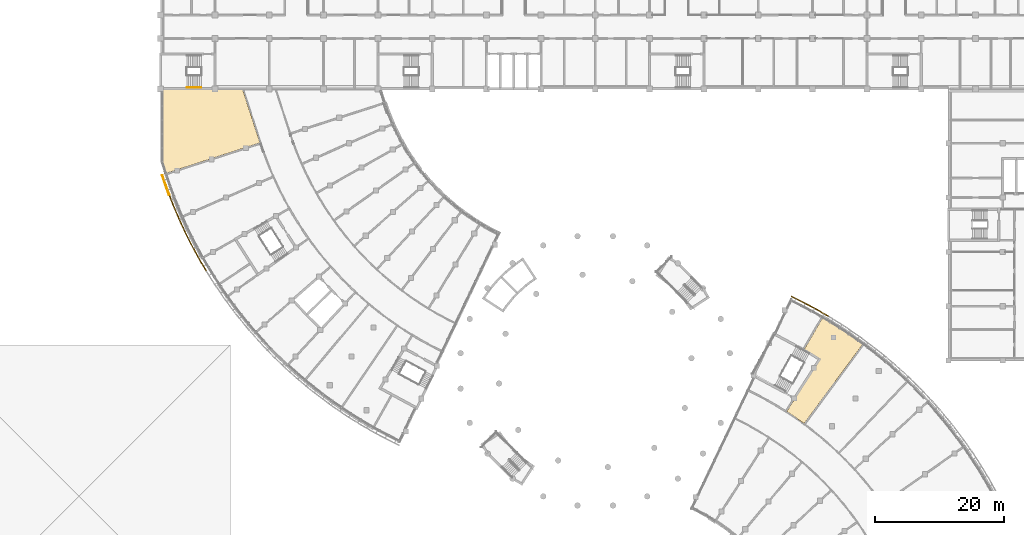
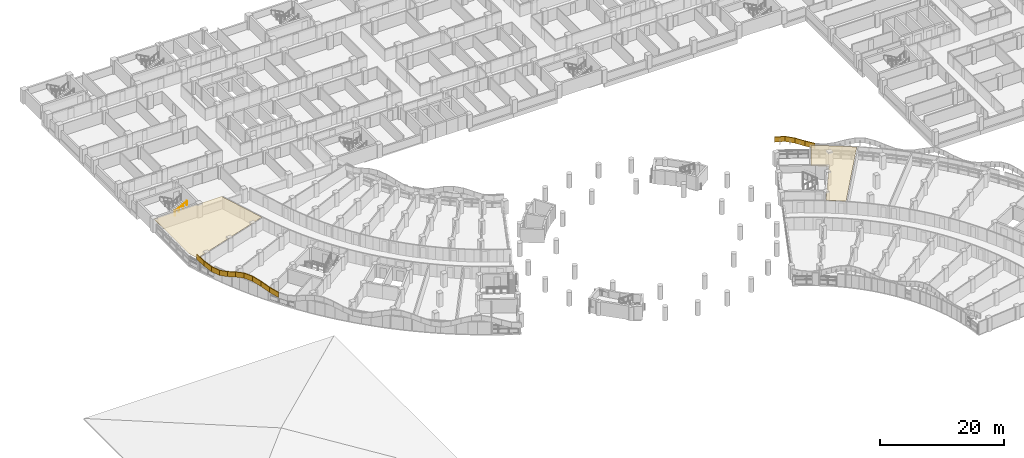
# One storey, part 82 of 89: 16 coverings, 1 railing.
"""IFC4 building model written with IfcOpenShell, lengths in metres."""

import ifcopenshell
import ifcopenshell.guid

model = None  # the IFC model being written
_history = None  # IfcOwnerHistory: only IFC2X3 demands one
_inside = {}  # id of a spatial element -> (the spatial element, [elements in it])
_under = {}  # id of a project, library or spatial element -> (it, [spatial elements below it])
_declared = {}  # id of a project -> (the project, [libraries it declares])
_typed = {}  # id of a type object -> (the type object, [elements of that type])
_made_of = {}  # id of a material, layer set ... -> (it, [elements and type objects made of it])


def new_model(schema):
    """Start an empty IFC model of exactly this schema.

    Asked for "IFC4X3", IfcOpenShell would pick the latest addendum, in which some entities
    have other attributes; the version numbers below select the first issue.
    IFC2X3 requires an IfcOwnerHistory on every rooted entity: one is made here for all.
    """
    global model, _history
    if schema == "IFC4X3":
        model = ifcopenshell.file(schema_version=(4, 3, 0, 0))
    else:
        model = ifcopenshell.file(schema=schema)
    _inside.clear()
    _under.clear()
    _declared.clear()
    _typed.clear()
    _made_of.clear()
    _history = None
    if model.schema == "IFC2X3":
        org = make("IfcOrganization", Name="unknown")
        user = make(
            "IfcPersonAndOrganization",
            ThePerson=make("IfcPerson", FamilyName="unknown"),
            TheOrganization=org,
        )
        app = make(
            "IfcApplication",
            ApplicationDeveloper=org,
            Version="unknown",
            ApplicationFullName="unknown",
            ApplicationIdentifier="unknown",
        )
        _history = make(
            "IfcOwnerHistory",
            OwningUser=user,
            OwningApplication=app,
            ChangeAction="ADDED",
            CreationDate=0,
        )
    return model


def make(cls, **values):
    """One entity of the class cls with the attributes given. An attribute that is None is left unset."""
    return model.create_entity(
        cls, **{name: value for name, value in values.items() if value is not None}
    )


def rooted(cls, **values):
    """An entity with a GlobalId (a new one), such as an element, a storey or a relation."""
    return make(cls, GlobalId=ifcopenshell.guid.new(), OwnerHistory=_history, **values)


def si_unit(unit_type, name, prefix=None):
    """IfcSIUnit, for example si_unit("LENGTHUNIT", "METRE", prefix="MILLI")."""
    return make("IfcSIUnit", UnitType=unit_type, Prefix=prefix, Name=name)


def assignment(units):
    """IfcUnitAssignment: the units of a project."""
    return None if units is None else make("IfcUnitAssignment", Units=units)


def point(xyz):
    """IfcCartesianPoint."""
    return None if xyz is None else make("IfcCartesianPoint", Coordinates=xyz)


def direction(xyz):
    """IfcDirection."""
    return None if xyz is None else make("IfcDirection", DirectionRatios=xyz)


def frame(location, z_axis=None, x_axis=None):
    """IfcAxis2Placement3D, a coordinate frame: its origin and axes. An axis left out is left unset."""
    return make(
        "IfcAxis2Placement3D",
        Location=point(location),
        Axis=direction(z_axis),
        RefDirection=direction(x_axis),
    )


def frame_2d(location, x_axis=None):
    """IfcAxis2Placement2D, a coordinate frame in the plane: its origin and x axis."""
    return make(
        "IfcAxis2Placement2D", Location=point(location), RefDirection=direction(x_axis)
    )


def origin():
    """The frame at (0, 0, 0) with its axes left unset."""
    return frame((0.0, 0.0, 0.0))


def origin_2d():
    """The frame at (0, 0) in the plane with its x axis left unset."""
    return frame_2d((0.0, 0.0))


def place(relative_to, where):
    """IfcLocalPlacement: puts the frame where relative to a parent placement (None: the world)."""
    return make(
        "IfcLocalPlacement", PlacementRelTo=relative_to, RelativePlacement=where
    )


def context(
    kind, dimensions, precision=None, world=None, true_north=None, identifier=None
):
    """IfcGeometricRepresentationContext, for example the 3D "Model" context."""
    return make(
        "IfcGeometricRepresentationContext",
        ContextIdentifier=identifier,
        ContextType=kind,
        CoordinateSpaceDimension=dimensions,
        Precision=precision,
        WorldCoordinateSystem=world,
        TrueNorth=true_north,
    )


def subcontext(parent, identifier, kind, view, scale=None):
    """IfcGeometricRepresentationSubContext, for example "Body" below "Model"."""
    return make(
        "IfcGeometricRepresentationSubContext",
        ContextIdentifier=identifier,
        ContextType=kind,
        ParentContext=parent,
        TargetScale=scale,
        TargetView=view,
    )


def project(units=None, contexts=None):
    """IfcProject with its units and contexts."""
    return rooted(
        "IfcProject",
        Name="project",
        RepresentationContexts=contexts,
        UnitsInContext=assignment(units),
    )


def spatial(cls, under=None, at=None, **own):
    """A site, building, storey or space (cls), placed at a placement, below another one or the project."""
    s = rooted(cls, ObjectPlacement=at, **own)
    if under is not None:
        _under.setdefault(under.id(), (under, []))[1].append(s)
    return s


def polyline(points):
    """IfcPolyline through the points."""
    return make("IfcPolyline", Points=[point(p) for p in points])


def profile(cls, at=None, kind="AREA", **sizes):
    """A parametric profile (cls). Its sizes go by their IFC names, for example OverallWidth=200.0."""
    return make(cls, ProfileType=kind, Position=at, **sizes)


def circle(**sizes):
    """IfcCircleProfileDef."""
    return profile("IfcCircleProfileDef", **sizes)


def outline(outer, holes=None, kind="AREA"):
    """IfcArbitraryClosedProfileDef: a profile drawn as a closed curve; with holes, ...WithVoids."""
    if holes is None:
        return make("IfcArbitraryClosedProfileDef", ProfileType=kind, OuterCurve=outer)
    return make(
        "IfcArbitraryProfileDefWithVoids",
        ProfileType=kind,
        OuterCurve=outer,
        InnerCurves=holes,
    )


def extrude(swept, where, along, depth):
    """IfcExtrudedAreaSolid: the profile swept, set in the frame where, extruded along a direction by depth."""
    return make(
        "IfcExtrudedAreaSolid",
        SweptArea=swept,
        Position=where,
        ExtrudedDirection=direction(along),
        Depth=depth,
    )


def shape(context_of_items, identifier, shape_type, items):
    """IfcShapeRepresentation: the items that make up one representation, for example the "Body"."""
    return make(
        "IfcShapeRepresentation",
        ContextOfItems=context_of_items,
        RepresentationIdentifier=identifier,
        RepresentationType=shape_type,
        Items=items,
    )


def material(Name=None, Category=None):
    """IfcMaterial."""
    return make("IfcMaterial", Name=Name, Category=Category)


def layer(
    of_material, thickness, ventilated=None, Name=None, Category=None, Priority=None
):
    """IfcMaterialLayer: one layer of a wall or slab, of a material (None: an air gap)."""
    return make(
        "IfcMaterialLayer",
        Material=of_material,
        LayerThickness=thickness,
        IsVentilated=ventilated,
        Name=Name,
        Category=Category,
        Priority=Priority,
    )


def layer_set(layers, Name=None):
    """IfcMaterialLayerSet."""
    return make("IfcMaterialLayerSet", MaterialLayers=layers, LayerSetName=Name)


def made_of(thing, what):
    """Note that an element or type object is made of a material, layer set ...; save() writes the relation."""
    if what is not None:
        _made_of.setdefault(what.id(), (what, []))[1].append(thing)
    return thing


def type_object(cls, material=None, **own):
    """A type object (cls), such as IfcWallType, which elements share."""
    return made_of(rooted(cls, **own), material)


def element(
    cls,
    number,
    at=None,
    inside=None,
    cuts=None,
    type_object=None,
    material=None,
    context=None,
    identifier="Body",
    shape_type=None,
    held_by="IfcProductDefinitionShape",
    body=None,
    shapes=None,
    **own,
):
    """One element of the class cls, such as IfcWall. Its Tag is "e" and its number.

    at: its placement. inside: the storey or other place that contains it. cuts: it is an
    opening in that element (IfcRelVoidsElement). A single representation is given by context,
    identifier, shape_type and body (its items); several are given by shapes. held_by: the class
    of the entity that holds the representations. save() writes the other relations.
    """
    e = rooted(cls, Tag="e%d" % number, ObjectPlacement=at, **own)
    if body is not None:
        shapes = [shape(context, identifier, shape_type, body)]
    if shapes is not None:
        e.Representation = make(held_by, Representations=shapes)
    if inside is not None:
        _inside.setdefault(inside.id(), (inside, []))[1].append(e)
    if cuts is not None:
        rooted(
            "IfcRelVoidsElement", RelatingBuildingElement=cuts, RelatedOpeningElement=e
        )
    if type_object is not None:
        _typed.setdefault(type_object.id(), (type_object, []))[1].append(e)
    return made_of(e, material)


def aggregate(whole, parts):
    """IfcRelAggregates: a whole, such as a stair, and the parts it consists of."""
    return rooted("IfcRelAggregates", RelatingObject=whole, RelatedObjects=parts)


def save(model, path):
    """Write the relations noted so far, then the file.

    IfcRelAggregates (storeys below a building ...), IfcRelContainedInSpatialStructure (elements
    in a storey), IfcRelDefinesByType, IfcRelAssociatesMaterial and IfcRelDeclares: one each for
    every whole, place, type object, material and project.
    """
    for whole, parts in _under.values():
        aggregate(whole, parts)
    for where, things in _inside.values():
        rooted(
            "IfcRelContainedInSpatialStructure",
            RelatedElements=things,
            RelatingStructure=where,
        )
    for kind, things in _typed.values():
        rooted("IfcRelDefinesByType", RelatedObjects=things, RelatingType=kind)
    for what, things in _made_of.values():
        rooted("IfcRelAssociatesMaterial", RelatedObjects=things, RelatingMaterial=what)
    for by, libraries in _declared.values():
        rooted("IfcRelDeclares", RelatingContext=by, RelatedDefinitions=libraries)
    model.write(path)


model = new_model("IFC4")

# Units and contexts
model_context = context("Model", 3, precision=1e-05, world=origin(), true_north=direction((0.0, 1.0)))
body_context = subcontext(model_context, "Body", "Model", "MODEL_VIEW")
ifc_project = project(units=[si_unit("LENGTHUNIT", "METRE"), si_unit("AREAUNIT", "SQUARE_METRE"), si_unit("VOLUMEUNIT", "CUBIC_METRE"), si_unit("PLANEANGLEUNIT", "RADIAN"), si_unit("MASSUNIT", "GRAM", prefix="KILO")], contexts=[model_context])

# Site, building, storey
site_placement = place(None, origin())
site = spatial("IfcSite", under=ifc_project, at=site_placement, CompositionType="ELEMENT")
building_placement = place(site_placement, origin())
building = spatial("IfcBuilding", under=site, at=building_placement, Name="Bougainvillea Quay General Hospital", CompositionType="ELEMENT")
storey_placement = place(building_placement, frame((0.0, 0.0, 9.89990234375)))
storey = spatial("IfcBuildingStorey", under=building, at=storey_placement, Name="L01M", CompositionType="ELEMENT", Elevation=9.89990234375)

# Coverings
ifc_material_1 = material(Name="Powder-coated aluminium fascia, green", Category="aluminium")
ifc_layer_1 = layer(ifc_material_1, 0.14990234375)
ifc_layer_set_1 = layer_set([ifc_layer_1], Name="Powder-coated aluminium fascia, green")
covering_type_1 = type_object("IfcCoveringType", Name="Aluminium wave fascia ribbon green 150x1000", PredefinedType="CLADDING", material=ifc_layer_set_1)
covering_1_placement = place(storey_placement, frame((42.341796875, 104.27294921875, 2.468017578125), z_axis=(0.110772021598, -0.329648714639, 0.937582681243), x_axis=(0.300033739032, -0.888279966488, -0.34776206892)))
element("IfcCovering", 1, at=covering_1_placement, inside=storey, type_object=covering_type_1, Name="Fascia ribbon green a01 1", PredefinedType="CLADDING", context=body_context, shape_type="SweptSolid", body=[
    extrude(outline(polyline([(0.0, 0.0), (1.7348181524380801, 1.463672932855431e-17), (1.7366112556522868, -0.15001523366858202), (-0.0001261627648552338, -0.1499309128049655), (0.0, 0.0)])), origin(), (-0.34776206892, 0.000509168787, 0.937582681243), 1.0),
])
covering_2_placement = place(storey_placement, frame((42.8623046875, 102.73193359375, 1.8642578125), z_axis=(0.083054177745, -0.230707255721, 0.969472106725), x_axis=(0.331508637559, -0.91103175331, -0.245200260368)))
element("IfcCovering", 2, at=covering_2_placement, inside=storey, type_object=covering_type_1, Name="Fascia ribbon green a01 2", PredefinedType="CLADDING", context=body_context, shape_type="SweptSolid", body=[
    extrude(outline(polyline([(0.0, 0.0), (1.6813453807559078, -1.297247899378906e-16), (1.6831927499924344, -0.15003441723045166), (-0.0018507724908272496, -0.15001292099792193), (0.0, 0.0)])), origin(), (-0.245200260368, 0.000816454848, 0.969472106725), 1.0),
])
covering_3_placement = place(storey_placement, frame((43.419677734375, 101.2001953125, 1.45166015625), z_axis=(-0.003699519941, 0.009476398953, 0.999948254369), x_axis=(0.363612429207, -0.93149477333, 0.010172933932)))
element("IfcCovering", 3, at=covering_3_placement, inside=storey, type_object=covering_type_1, Name="Fascia ribbon green a01 3", PredefinedType="CLADDING", context=body_context, shape_type="SweptSolid", body=[
    extrude(outline(polyline([(0.0, 0.0), (1.6302344305994982, 3.1876390904021085e-17), (1.6319396828499133, -0.15005241288211643), (-0.001695014888092393, -0.15003544721851955), (0.0, 0.0)])), origin(), (0.010172933932, 3.47045e-07, 0.999948254369), 1.0),
])
covering_4_placement = place(storey_placement, frame((44.012451171875, 99.681640625, 1.468505859375), z_axis=(-0.099357317346, 0.238415550081, 0.966067362542), x_axis=(0.371995829889, -0.891574597309, 0.258290224318)))
element("IfcCovering", 4, at=covering_4_placement, inside=storey, type_object=covering_type_1, Name="Fascia ribbon green a01 4", PredefinedType="CLADDING", context=body_context, shape_type="SweptSolid", body=[
    extrude(outline(polyline([(0.0, 0.0), (1.6873369134939349, -4.824699667560495e-17), (1.6890438382272612, -0.15014729818879274), (-0.0018291128183669572, -0.15005174604153598), (0.0, 0.0)])), origin(), (0.258290224318, -0.000105130208, 0.966067362542), 1.0),
])
covering_5_placement = place(storey_placement, frame((44.64013671875, 98.17724609375, 1.905029296875), z_axis=(-0.142019140186, 0.317735493477, 0.937483183852), x_axis=(0.380917431615, -0.856607856214, 0.348030014459)))
element("IfcCovering", 5, at=covering_5_placement, inside=storey, type_object=covering_type_1, Name="Fascia ribbon green a01 5", PredefinedType="CLADDING", context=body_context, shape_type="SweptSolid", body=[
    extrude(outline(polyline([(0.0, 0.0), (1.7388574044376977, 5.675798372961616e-17), (1.7406727717177, -0.14987304836681514), (-0.001979182091184754, -0.1501449427337405), (0.0, 0.0)])), origin(), (0.348030014459, 0.000623723108, 0.937483183852), 1.0),
])
covering_6_placement = place(storey_placement, frame((45.302490234375, 96.687744140625, 2.5107421875), z_axis=(-0.108411170818, 0.22921218973, 0.967320417505), x_axis=(0.413486230838, -0.874492954719, 0.253557112016)))
element("IfcCovering", 6, at=covering_6_placement, inside=storey, type_object=covering_type_1, Name="Fascia ribbon green a01 6", PredefinedType="CLADDING", context=body_context, shape_type="SweptSolid", body=[
    extrude(outline(polyline([(0.0, 0.0), (1.6851206356261352, 4.5150244220443225e-17), (1.6869520124867678, -0.14990566703109215), (-0.0017974205623268276, -0.1498732713400776), (0.0, 0.0)])), origin(), (0.253557112016, 2.87207e-05, 0.967320417505), 1.0),
])
covering_7_placement = place(storey_placement, frame((45.999267578125, 95.214111328125, 2.938232421875), z_axis=(-0.001207836282, 0.002406904242, 0.999996373965), x_axis=(0.448409728218, -0.893824067467, 0.002692964243)))
element("IfcCovering", 7, at=covering_7_placement, inside=storey, type_object=covering_type_1, Name="Fascia ribbon green a01 7", PredefinedType="CLADDING", context=body_context, shape_type="SweptSolid", body=[
    extrude(outline(polyline([(0.0, 0.0), (1.6301096763387286, 1.40400581446847e-16), (1.631874001392176, -0.1500199492999341), (-0.0017293690985001817, -0.14990608607599745), (0.0, 0.0)])), origin(), (0.002692964243, 3.13861e-07, 0.999996373965), 1.0),
])
covering_8_placement = place(storey_placement, frame((46.730224609375, 93.757080078125, 2.9423828125), z_axis=(0.118130501039, -0.220456458648, 0.968216987335), x_axis=(0.453929728026, -0.855215089364, -0.25010988173)))
element("IfcCovering", 8, at=covering_8_placement, inside=storey, type_object=covering_type_1, Name="Fascia ribbon green a01 8", PredefinedType="CLADDING", context=body_context, shape_type="SweptSolid", body=[
    extrude(outline(polyline([(0.0, 0.0), (1.683457757979242, -1.2148485342700077e-16), (1.685379251592034, -0.14999951141889886), (-0.0017517568518316514, -0.15002086042310128), (0.0, 0.0)])), origin(), (-0.25010988173, -0.000955246687, 0.968216987335), 1.0),
])
covering_9_placement = place(storey_placement, frame((47.494384765625, 92.3173828125, 2.520751953125), z_axis=(0.170513949333, -0.303356212185, 0.93749666752), x_axis=(0.458718049164, -0.817604928793, -0.347994154815)))
element("IfcCovering", 9, at=covering_9_placement, inside=storey, type_object=covering_type_1, Name="Fascia ribbon green a01 9", PredefinedType="CLADDING", context=body_context, shape_type="SweptSolid", body=[
    extrude(outline(polyline([(0.0, 0.0), (1.7387389850119654, -1.6978606021123e-16), (1.7406947207171566, -0.14994640830004988), (-0.001733290275899428, -0.15000339341853874), (0.0, 0.0)])), origin(), (-0.347994154815, -0.000258075547, 0.93749666752), 1.0),
])
covering_10_placement = place(storey_placement, frame((48.2919921875, 90.895751953125, 1.915283203125), z_axis=(0.132689634718, -0.22558800031, 0.965144297478), x_axis=(0.491601019729, -0.830561515937, -0.261717415633)))
element("IfcCovering", 10, at=covering_10_placement, inside=storey, type_object=covering_type_1, Name="Fascia ribbon green a01 10", PredefinedType="CLADDING", context=body_context, shape_type="SweptSolid", body=[
    extrude(outline(polyline([(0.0, 0.0), (1.6890409615196453, 1.0045133128078199e-16), (1.6908432132426592, -0.14996979899531854), (-0.0016628599899374294, -0.14994835604243648), (0.0, 0.0)])), origin(), (-0.261717415633, 0.000692386831, 0.965144297478), 1.0),
])
covering_11_placement = place(storey_placement, frame((145.216064453125, 82.373779296875, 1.510009765625), z_axis=(0.244747990977, -0.142193512649, 0.959103448995), x_axis=(-0.829357714009, 0.481710710991, 0.28305577742)))
element("IfcCovering", 11, at=covering_11_placement, inside=storey, type_object=covering_type_1, Name="Fascia ribbon green a10 13", PredefinedType="CLADDING", context=body_context, shape_type="SweptSolid", body=[
    extrude(outline(polyline([(0.0, 0.0), (1.7008876979248522, -7.704611688225116e-17), (1.7025932532448267, -0.15009967282440398), (-0.001738986587179869, -0.1497595816255876), (0.0, 0.0)])), origin(), (0.28305577742, -3.155785e-05, 0.959103448995), 1.0),
])
covering_12_placement = place(storey_placement, frame((143.805419921875, 83.193115234375, 1.991943359375), z_axis=(0.302795058035, -0.166720027312, 0.938360051006), x_axis=(-0.822128899295, 0.452353476037, 0.345659378088)))
element("IfcCovering", 12, at=covering_12_placement, inside=storey, type_object=covering_type_1, Name="Fascia ribbon green a10 14", PredefinedType="CLADDING", context=body_context, shape_type="SweptSolid", body=[
    extrude(outline(polyline([(0.0, 0.0), (1.73847326944446, 2.3120611328253382e-17), (1.7402920003948341, -0.15006449605065292), (-0.0019011878815240006, -0.1500972319247002), (0.0, 0.0)])), origin(), (0.345659378088, -9.4955515e-05, 0.938360051006), 1.0),
])
covering_13_placement = place(storey_placement, frame((142.376220703125, 83.9794921875, 2.593505859375), z_axis=(0.198943957135, -0.103487361189, 0.974531512058), x_axis=(-0.864412860026, 0.450002311368, 0.224250590156)))
element("IfcCovering", 13, at=covering_13_placement, inside=storey, type_object=covering_type_1, Name="Fascia ribbon green a10 15", PredefinedType="CLADDING", context=body_context, shape_type="SweptSolid", body=[
    extrude(outline(polyline([(0.0, 0.0), (1.6736916250374736, 1.0239611892767786e-16), (1.6755489017910965, -0.14989896551227594), (-0.0017643988833813675, -0.15006521147480756), (0.0, 0.0)])), origin(), (0.224250590156, 6.9434682e-05, 0.974531512058), 1.0),
])
covering_14_placement = place(storey_placement, frame((140.929443359375, 84.732666015625, 2.968994140625), z_axis=(-0.035787511627, 0.017844910256, 0.999200086664), x_axis=(-0.896836384037, 0.440551211522, -0.03998912719)))
element("IfcCovering", 14, at=covering_14_placement, inside=storey, type_object=covering_type_1, Name="Fascia ribbon green a10 16", PredefinedType="CLADDING", context=body_context, shape_type="SweptSolid", body=[
    extrude(outline(polyline([(0.0, 0.0), (1.6292635296136684, -5.119467133204991e-17), (1.6291905455986038, -0.14991146746129652), (-0.0017093785313708962, -0.1498999499209366), (0.0, 0.0)])), origin(), (-0.03998912719, 0.000237733183, 0.999200086664), 1.0),
])

# Railing
ifc_material_2 = material(Name="Stainless steel 304 handrail", Category="steel")
railing_type = type_object("IfcRailingType", Name="Stair handrail 900", PredefinedType="HANDRAIL", material=ifc_material_2)
railing_placement = place(storey_placement, frame((46.06005859375, 117.824951171875, 1.5)))
element("IfcRailing", 15, at=railing_placement, inside=storey, type_object=railing_type, Name="L01M ST-B1 stair handrail 2", PredefinedType="HANDRAIL", context=body_context, shape_type="SweptSolid", body=[
    extrude(circle(Radius=0.02392578125, at=origin_2d()), frame((0.0, 0.0, 0.8759765625), z_axis=(0.881447119201, 0.0, 0.472282728937), x_axis=(0.0, 1.0, 0.0)), (0.0, 0.0, 1.0), 2.541259765625),
    extrude(circle(Radius=0.02099609375, at=origin_2d()), origin(), (0.0, 0.0, 1.0), 0.851806640625),
    extrude(circle(Radius=0.02099609375, at=origin_2d()), frame((0.74658203125, 0.0, 0.400146484375)), (0.0, 0.0, 1.0), 0.851806640625),
    extrude(circle(Radius=0.02099609375, at=origin_2d()), frame((1.493408203125, 0.0, 0.800048828125)), (0.0, 0.0, 1.0), 0.851806640625),
    extrude(circle(Radius=0.02099609375, at=origin_2d()), frame((2.239990234375, 0.0, 1.2001953125)), (0.0, 0.0, 1.0), 0.851806640625),
])

# Coverings
ifc_material_3 = material(Name="Mineral fibre ceiling tile")
ifc_layer_2 = layer(ifc_material_3, 0.030029296875)
ifc_layer_set_2 = layer_set([ifc_layer_2], Name="Mineral fibre ceiling tile")
covering_type_2 = type_object("IfcCoveringType", Name="Suspended ceiling mineral fibre tile", PredefinedType="CEILING", material=ifc_layer_set_2)
covering_15_placement = place(storey_placement, frame((0.0, 0.0, 2.3701171875)))
element("IfcCovering", 16, at=covering_15_placement, inside=storey, type_object=covering_type_2, Name="Ceiling Medical Gas and Vacuum Risers", PredefinedType="CEILING", context=body_context, shape_type="SweptSolid", body=[
    extrude(outline(polyline([(42.610595703125, 104.41650390625), (42.59716796875, 104.458984375), (57.36083984375, 109.260986328125), (54.65869140625, 117.576904296875), (54.72998046875, 117.60009765625), (42.0, 117.60009765625), (42.0, 106.2958984375), (42.610595703125, 104.41650390625)])), origin(), (0.0, 0.0, 1.0), 0.030029296875),
])
covering_16_placement = place(storey_placement, frame((0.0, 0.0, 2.3701171875)))
element("IfcCovering", 17, at=covering_16_placement, inside=storey, type_object=covering_type_2, Name="Ceiling Interstitial Service Space", PredefinedType="CEILING", context=body_context, shape_type="SweptSolid", body=[
    extrude(outline(polyline([(141.523681640625, 77.344482421875), (142.11328125, 77.003173828125), (142.114990234375, 77.005615234375), (142.198486328125, 76.953857421875), (142.28369140625, 76.904541015625), (142.281982421875, 76.901611328125), (143.850341796875, 75.92578125), (143.85107421875, 75.92724609375), (144.018798828125, 75.821044921875), (144.017822265625, 75.81982421875), (144.019287109375, 75.81884765625), (143.9130859375, 75.6513671875), (143.91162109375, 75.652099609375), (140.0634765625, 69.6845703125), (140.010986328125, 69.600341796875), (140.009765625, 69.60107421875), (138.802734375, 67.728515625), (140.103271484375, 66.859619140625), (140.1044921875, 66.861572265625), (140.16455078125, 66.818603515625), (140.22607421875, 66.777587890625), (140.224853515625, 66.77587890625), (141.497314453125, 65.866455078125), (150.662109375, 78.2666015625), (148.794189453125, 79.6015625), (146.96484375, 80.81787109375), (145.0986328125, 81.976318359375), (144.440185546875, 82.3564453125), (141.523681640625, 77.344482421875)])), origin(), (0.0, 0.0, 1.0), 0.030029296875),
])

save(model, "model.ifc")
